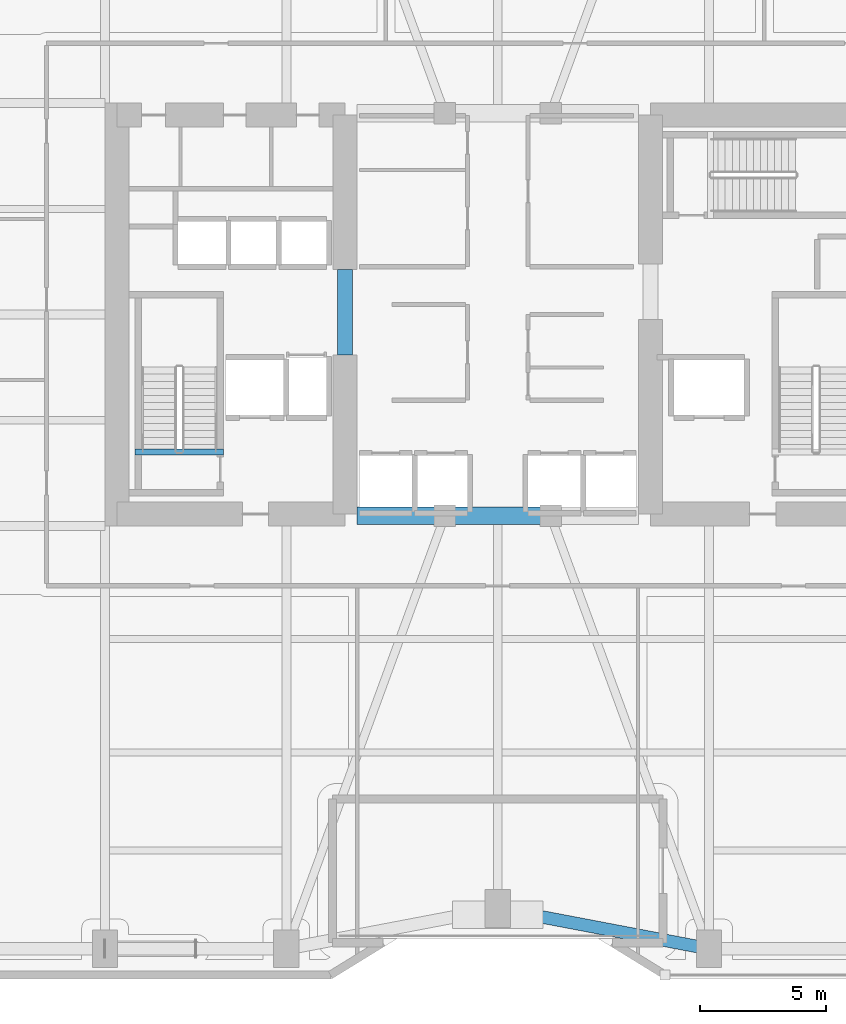
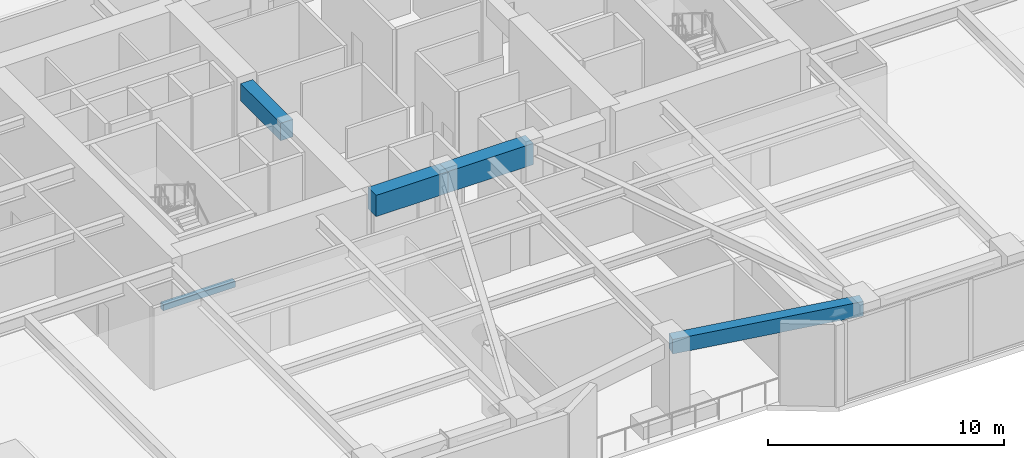
# One storey, part 3 of 25: 5 beams.
"""IFC4 building model written with IfcOpenShell, lengths in metres."""

import ifcopenshell
import ifcopenshell.guid

model = None  # the IFC model being written
_history = None  # IfcOwnerHistory: only IFC2X3 demands one
_inside = {}  # id of a spatial element -> (the spatial element, [elements in it])
_under = {}  # id of a project, library or spatial element -> (it, [spatial elements below it])
_declared = {}  # id of a project -> (the project, [libraries it declares])
_typed = {}  # id of a type object -> (the type object, [elements of that type])
_made_of = {}  # id of a material, layer set ... -> (it, [elements and type objects made of it])


def new_model(schema):
    """Start an empty IFC model of exactly this schema.

    Asked for "IFC4X3", IfcOpenShell would pick the latest addendum, in which some entities
    have other attributes; the version numbers below select the first issue.
    IFC2X3 requires an IfcOwnerHistory on every rooted entity: one is made here for all.
    """
    global model, _history
    if schema == "IFC4X3":
        model = ifcopenshell.file(schema_version=(4, 3, 0, 0))
    else:
        model = ifcopenshell.file(schema=schema)
    _inside.clear()
    _under.clear()
    _declared.clear()
    _typed.clear()
    _made_of.clear()
    _history = None
    if model.schema == "IFC2X3":
        org = make("IfcOrganization", Name="unknown")
        user = make(
            "IfcPersonAndOrganization",
            ThePerson=make("IfcPerson", FamilyName="unknown"),
            TheOrganization=org,
        )
        app = make(
            "IfcApplication",
            ApplicationDeveloper=org,
            Version="unknown",
            ApplicationFullName="unknown",
            ApplicationIdentifier="unknown",
        )
        _history = make(
            "IfcOwnerHistory",
            OwningUser=user,
            OwningApplication=app,
            ChangeAction="ADDED",
            CreationDate=0,
        )
    return model


def make(cls, **values):
    """One entity of the class cls with the attributes given. An attribute that is None is left unset."""
    return model.create_entity(
        cls, **{name: value for name, value in values.items() if value is not None}
    )


def rooted(cls, **values):
    """An entity with a GlobalId (a new one), such as an element, a storey or a relation."""
    return make(cls, GlobalId=ifcopenshell.guid.new(), OwnerHistory=_history, **values)


def si_unit(unit_type, name, prefix=None):
    """IfcSIUnit, for example si_unit("LENGTHUNIT", "METRE", prefix="MILLI")."""
    return make("IfcSIUnit", UnitType=unit_type, Prefix=prefix, Name=name)


def assignment(units):
    """IfcUnitAssignment: the units of a project."""
    return None if units is None else make("IfcUnitAssignment", Units=units)


def point(xyz):
    """IfcCartesianPoint."""
    return None if xyz is None else make("IfcCartesianPoint", Coordinates=xyz)


def direction(xyz):
    """IfcDirection."""
    return None if xyz is None else make("IfcDirection", DirectionRatios=xyz)


def frame(location, z_axis=None, x_axis=None):
    """IfcAxis2Placement3D, a coordinate frame: its origin and axes. An axis left out is left unset."""
    return make(
        "IfcAxis2Placement3D",
        Location=point(location),
        Axis=direction(z_axis),
        RefDirection=direction(x_axis),
    )


def frame_2d(location, x_axis=None):
    """IfcAxis2Placement2D, a coordinate frame in the plane: its origin and x axis."""
    return make(
        "IfcAxis2Placement2D", Location=point(location), RefDirection=direction(x_axis)
    )


def origin():
    """The frame at (0, 0, 0) with its axes left unset."""
    return frame((0.0, 0.0, 0.0))


def origin_2d():
    """The frame at (0, 0) in the plane with its x axis left unset."""
    return frame_2d((0.0, 0.0))


def place(relative_to, where):
    """IfcLocalPlacement: puts the frame where relative to a parent placement (None: the world)."""
    return make(
        "IfcLocalPlacement", PlacementRelTo=relative_to, RelativePlacement=where
    )


def context(
    kind, dimensions, precision=None, world=None, true_north=None, identifier=None
):
    """IfcGeometricRepresentationContext, for example the 3D "Model" context."""
    return make(
        "IfcGeometricRepresentationContext",
        ContextIdentifier=identifier,
        ContextType=kind,
        CoordinateSpaceDimension=dimensions,
        Precision=precision,
        WorldCoordinateSystem=world,
        TrueNorth=true_north,
    )


def subcontext(parent, identifier, kind, view, scale=None):
    """IfcGeometricRepresentationSubContext, for example "Body" below "Model"."""
    return make(
        "IfcGeometricRepresentationSubContext",
        ContextIdentifier=identifier,
        ContextType=kind,
        ParentContext=parent,
        TargetScale=scale,
        TargetView=view,
    )


def project(units=None, contexts=None):
    """IfcProject with its units and contexts."""
    return rooted(
        "IfcProject",
        Name="project",
        RepresentationContexts=contexts,
        UnitsInContext=assignment(units),
    )


def spatial(cls, under=None, at=None, **own):
    """A site, building, storey or space (cls), placed at a placement, below another one or the project."""
    s = rooted(cls, ObjectPlacement=at, **own)
    if under is not None:
        _under.setdefault(under.id(), (under, []))[1].append(s)
    return s


def profile(cls, at=None, kind="AREA", **sizes):
    """A parametric profile (cls). Its sizes go by their IFC names, for example OverallWidth=200.0."""
    return make(cls, ProfileType=kind, Position=at, **sizes)


def rectangle(**sizes):
    """IfcRectangleProfileDef."""
    return profile("IfcRectangleProfileDef", **sizes)


def extrude(swept, where, along, depth):
    """IfcExtrudedAreaSolid: the profile swept, set in the frame where, extruded along a direction by depth."""
    return make(
        "IfcExtrudedAreaSolid",
        SweptArea=swept,
        Position=where,
        ExtrudedDirection=direction(along),
        Depth=depth,
    )


def shape(context_of_items, identifier, shape_type, items):
    """IfcShapeRepresentation: the items that make up one representation, for example the "Body"."""
    return make(
        "IfcShapeRepresentation",
        ContextOfItems=context_of_items,
        RepresentationIdentifier=identifier,
        RepresentationType=shape_type,
        Items=items,
    )


def material(Name=None, Category=None):
    """IfcMaterial."""
    return make("IfcMaterial", Name=Name, Category=Category)


def material_profile(
    of_material, cross_section, Name=None, Category=None, Priority=None
):
    """IfcMaterialProfile: a cross section and its material."""
    return make(
        "IfcMaterialProfile",
        Name=Name,
        Material=of_material,
        Profile=cross_section,
        Priority=Priority,
        Category=Category,
    )


def profile_set(profiles, Name=None, composite=None):
    """IfcMaterialProfileSet."""
    return make(
        "IfcMaterialProfileSet",
        Name=Name,
        MaterialProfiles=profiles,
        CompositeProfile=composite,
    )


def made_of(thing, what):
    """Note that an element or type object is made of a material, layer set ...; save() writes the relation."""
    if what is not None:
        _made_of.setdefault(what.id(), (what, []))[1].append(thing)
    return thing


def type_object(cls, material=None, **own):
    """A type object (cls), such as IfcWallType, which elements share."""
    return made_of(rooted(cls, **own), material)


def element(
    cls,
    number,
    at=None,
    inside=None,
    cuts=None,
    type_object=None,
    material=None,
    context=None,
    identifier="Body",
    shape_type=None,
    held_by="IfcProductDefinitionShape",
    body=None,
    shapes=None,
    **own,
):
    """One element of the class cls, such as IfcWall. Its Tag is "e" and its number.

    at: its placement. inside: the storey or other place that contains it. cuts: it is an
    opening in that element (IfcRelVoidsElement). A single representation is given by context,
    identifier, shape_type and body (its items); several are given by shapes. held_by: the class
    of the entity that holds the representations. save() writes the other relations.
    """
    e = rooted(cls, Tag="e%d" % number, ObjectPlacement=at, **own)
    if body is not None:
        shapes = [shape(context, identifier, shape_type, body)]
    if shapes is not None:
        e.Representation = make(held_by, Representations=shapes)
    if inside is not None:
        _inside.setdefault(inside.id(), (inside, []))[1].append(e)
    if cuts is not None:
        rooted(
            "IfcRelVoidsElement", RelatingBuildingElement=cuts, RelatedOpeningElement=e
        )
    if type_object is not None:
        _typed.setdefault(type_object.id(), (type_object, []))[1].append(e)
    return made_of(e, material)


def aggregate(whole, parts):
    """IfcRelAggregates: a whole, such as a stair, and the parts it consists of."""
    return rooted("IfcRelAggregates", RelatingObject=whole, RelatedObjects=parts)


def save(model, path):
    """Write the relations noted so far, then the file.

    IfcRelAggregates (storeys below a building ...), IfcRelContainedInSpatialStructure (elements
    in a storey), IfcRelDefinesByType, IfcRelAssociatesMaterial and IfcRelDeclares: one each for
    every whole, place, type object, material and project.
    """
    for whole, parts in _under.values():
        aggregate(whole, parts)
    for where, things in _inside.values():
        rooted(
            "IfcRelContainedInSpatialStructure",
            RelatedElements=things,
            RelatingStructure=where,
        )
    for kind, things in _typed.values():
        rooted("IfcRelDefinesByType", RelatedObjects=things, RelatingType=kind)
    for what, things in _made_of.values():
        rooted("IfcRelAssociatesMaterial", RelatedObjects=things, RelatingMaterial=what)
    for by, libraries in _declared.values():
        rooted("IfcRelDeclares", RelatingContext=by, RelatedDefinitions=libraries)
    model.write(path)


model = new_model("IFC4")

# Units and contexts
model_context = context("Model", 3, precision=1e-05, world=origin(), true_north=direction((0.0, 1.0)))
body_context = subcontext(model_context, "Body", "Model", "MODEL_VIEW")
ifc_project = project(units=[si_unit("LENGTHUNIT", "METRE"), si_unit("AREAUNIT", "SQUARE_METRE"), si_unit("VOLUMEUNIT", "CUBIC_METRE"), si_unit("PLANEANGLEUNIT", "RADIAN"), si_unit("MASSUNIT", "GRAM", prefix="KILO")], contexts=[model_context])

# Site, building, storey
site_placement = place(None, origin())
site = spatial("IfcSite", under=ifc_project, at=site_placement, CompositionType="ELEMENT")
building_placement = place(site_placement, origin())
building = spatial("IfcBuilding", under=site, at=building_placement, Name="Kiyonajd Concourse Tower", CompositionType="ELEMENT")
storey_placement = place(building_placement, frame((0.0, 0.0, 68.39990234375)))
storey = spatial("IfcBuildingStorey", under=building, at=storey_placement, Name="L18", CompositionType="ELEMENT", Elevation=68.39990234375)

# Beams
ifc_material_1 = material(Name="Concrete C70/85", Category="concrete")
ifc_material_profile_1 = material_profile(ifc_material_1, rectangle(XDim=0.699951171875, YDim=1.10009765625, at=origin_2d()), Name="RCBM-700x1100")
ifc_profile_set_1 = profile_set([ifc_material_profile_1], Name="Concrete C70/85")
beam_type_1 = type_object("IfcBeamType", Name="BM-COUP-1100", PredefinedType="LINTEL", material=ifc_profile_set_1)
beam_1_placement = place(storey_placement, frame((42.39990234375, 28.0, 3.690185546875), z_axis=(1.0, 0.0, 0.0), x_axis=(0.0, 1.0, 0.0)))
element("IfcBeam", 1, at=beam_1_placement, inside=storey, type_object=beam_type_1, Name="L18 Core Coupling Beam S1", PredefinedType="LINTEL", context=body_context, shape_type="SweptSolid", body=[
    extrude(rectangle(XDim=0.699951171875, YDim=1.10009765625, at=origin_2d()), origin(), (0.0, 0.0, 1.0), 3.5),
])
beam_2_placement = place(storey_placement, frame((45.89990234375, 28.0, 3.690185546875), z_axis=(1.0, 0.0, 0.0), x_axis=(0.0, 1.0, 0.0)))
element("IfcBeam", 2, at=beam_2_placement, inside=storey, type_object=beam_type_1, Name="L18 Core Coupling Beam S2", PredefinedType="LINTEL", context=body_context, shape_type="SweptSolid", body=[
    extrude(rectangle(XDim=0.699951171875, YDim=1.10009765625, at=origin_2d()), origin(), (0.0, 0.0, 1.0), 4.2001953125),
])
ifc_material_2 = material(Name="Concrete C60/75", Category="concrete")
ifc_material_profile_2 = material_profile(ifc_material_2, rectangle(XDim=0.60009765625, YDim=0.89990234375, at=origin_2d()), Name="RCBM-600x900")
ifc_profile_set_2 = profile_set([ifc_material_profile_2], Name="Concrete C60/75")
beam_type_2 = type_object("IfcBeamType", Name="BM-COUP-900", PredefinedType="LINTEL", material=ifc_profile_set_2)
beam_3_placement = place(storey_placement, frame((41.925048828125, 34.39990234375, 3.690185546875), z_axis=(0.0, 1.0, 0.0), x_axis=(-1.0, 0.0, 0.0)))
element("IfcBeam", 3, at=beam_3_placement, inside=storey, type_object=beam_type_2, Name="L18 West Core Throat Coupling Lintel", PredefinedType="LINTEL", context=body_context, shape_type="SweptSolid", body=[
    extrude(rectangle(XDim=0.60009765625, YDim=0.89990234375, at=origin_2d()), origin(), (0.0, 0.0, 1.0), 3.400146484375),
])
ifc_material_3 = material(Name="Concrete C50/60", Category="concrete")
ifc_material_profile_3 = material_profile(ifc_material_3, rectangle(XDim=0.239990234375, YDim=0.320068359375, at=origin_2d()), Name="RCBM-240x320")
ifc_profile_set_3 = profile_set([ifc_material_profile_3], Name="Concrete C50/60")
beam_type_3 = type_object("IfcBeamType", Name="BM-LNT-250", PredefinedType="LINTEL", material=ifc_profile_set_3)
beam_4_placement = place(storey_placement, frame((33.590087890625, 30.530029296875, -0.159912109375), z_axis=(1.0, 0.0, 0.0), x_axis=(0.0, 1.0, 0.0)))
element("IfcBeam", 4, at=beam_4_placement, inside=storey, type_object=beam_type_3, Name="L18 Stair ST1 Threshold Support Beam", PredefinedType="LINTEL", context=body_context, shape_type="SweptSolid", body=[
    extrude(rectangle(XDim=0.239990234375, YDim=0.320068359375, at=origin_2d()), origin(), (0.0, 0.0, 1.0), 3.52001953125),
])
ifc_material_4 = material(Name="Precast concrete C50/60", Category="concrete")
ifc_material_profile_4 = material_profile(ifc_material_4, rectangle(XDim=0.5, YDim=0.75, at=origin_2d()), Name="RCBM-500x750")
ifc_profile_set_4 = profile_set([ifc_material_profile_4], Name="Precast concrete C50/60")
beam_type_4 = type_object("IfcBeamType", Name="BM-SPAN-RC", PredefinedType="SPANDREL", material=ifc_profile_set_4)
beam_5_placement = place(storey_placement, frame((48.0, 12.39990234375, 3.864990234375), z_axis=(0.982341315253, -0.187097675953, 0.0), x_axis=(0.187097675953, 0.982341315253, 0.0)))
element("IfcBeam", 5, at=beam_5_placement, inside=storey, type_object=beam_type_4, Name="L18 Perimeter Bundled Tube Spandrel", PredefinedType="SPANDREL", context=body_context, shape_type="SweptSolid", body=[
    extrude(rectangle(XDim=0.5, YDim=0.75, at=origin_2d()), origin(), (0.0, 0.0, 1.0), 8.55078125),
])

save(model, "model.ifc")
